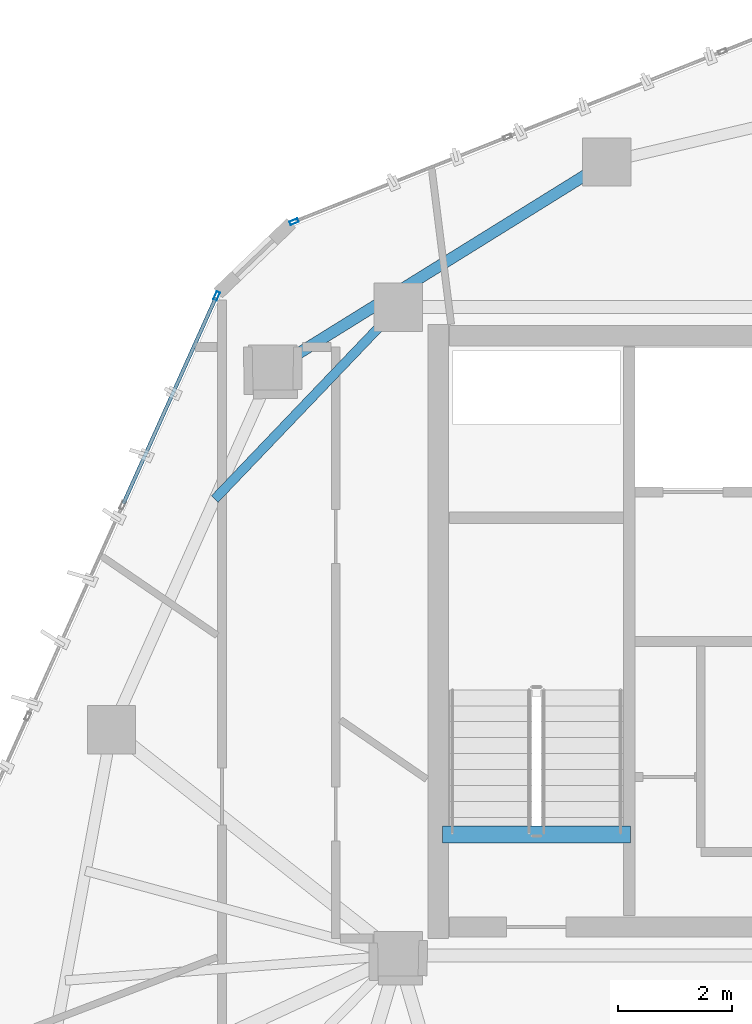
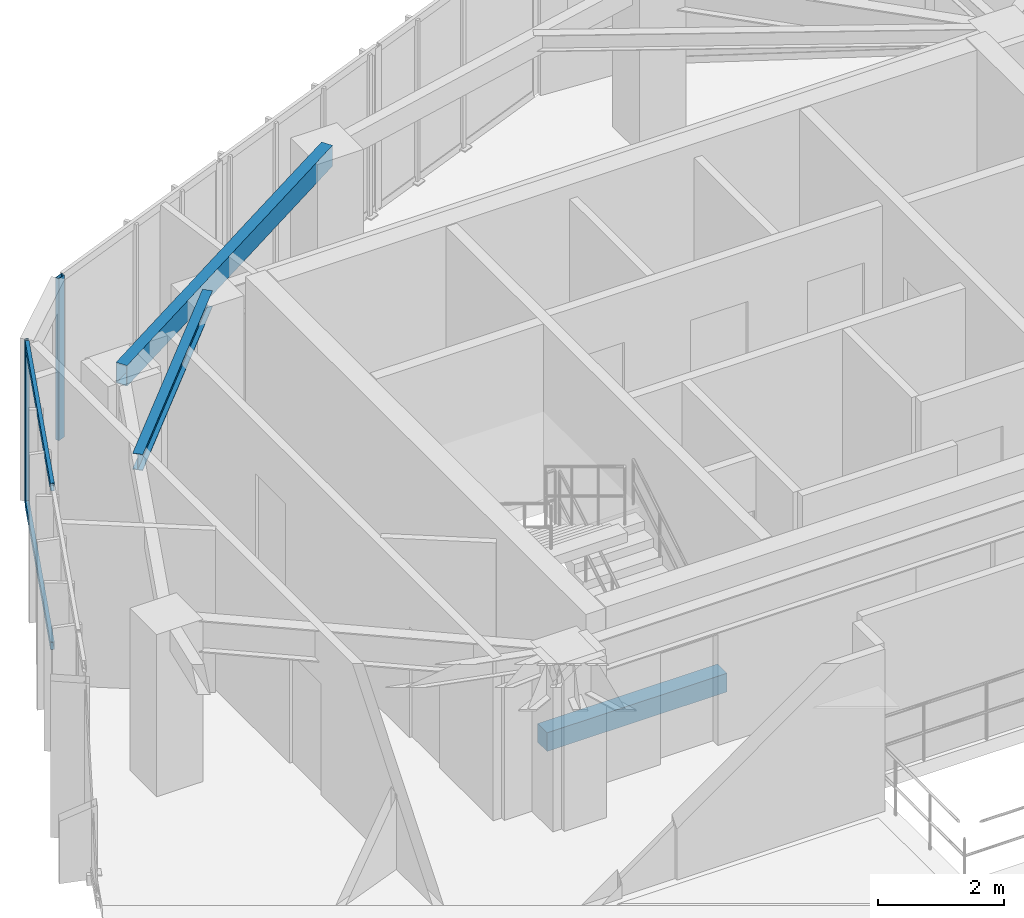
# One storey, part 9 of 20: 4 members, 3 beams, 2 elements without a shape of their own.
"""IFC4 building model written with IfcOpenShell, lengths in metres."""

import ifcopenshell
import ifcopenshell.guid

model = None  # the IFC model being written
_history = None  # IfcOwnerHistory: only IFC2X3 demands one
_inside = {}  # id of a spatial element -> (the spatial element, [elements in it])
_under = {}  # id of a project, library or spatial element -> (it, [spatial elements below it])
_declared = {}  # id of a project -> (the project, [libraries it declares])
_typed = {}  # id of a type object -> (the type object, [elements of that type])
_made_of = {}  # id of a material, layer set ... -> (it, [elements and type objects made of it])


def new_model(schema):
    """Start an empty IFC model of exactly this schema.

    Asked for "IFC4X3", IfcOpenShell would pick the latest addendum, in which some entities
    have other attributes; the version numbers below select the first issue.
    IFC2X3 requires an IfcOwnerHistory on every rooted entity: one is made here for all.
    """
    global model, _history
    if schema == "IFC4X3":
        model = ifcopenshell.file(schema_version=(4, 3, 0, 0))
    else:
        model = ifcopenshell.file(schema=schema)
    _inside.clear()
    _under.clear()
    _declared.clear()
    _typed.clear()
    _made_of.clear()
    _history = None
    if model.schema == "IFC2X3":
        org = make("IfcOrganization", Name="unknown")
        user = make(
            "IfcPersonAndOrganization",
            ThePerson=make("IfcPerson", FamilyName="unknown"),
            TheOrganization=org,
        )
        app = make(
            "IfcApplication",
            ApplicationDeveloper=org,
            Version="unknown",
            ApplicationFullName="unknown",
            ApplicationIdentifier="unknown",
        )
        _history = make(
            "IfcOwnerHistory",
            OwningUser=user,
            OwningApplication=app,
            ChangeAction="ADDED",
            CreationDate=0,
        )
    return model


def make(cls, **values):
    """One entity of the class cls with the attributes given. An attribute that is None is left unset."""
    return model.create_entity(
        cls, **{name: value for name, value in values.items() if value is not None}
    )


def rooted(cls, **values):
    """An entity with a GlobalId (a new one), such as an element, a storey or a relation."""
    return make(cls, GlobalId=ifcopenshell.guid.new(), OwnerHistory=_history, **values)


def si_unit(unit_type, name, prefix=None):
    """IfcSIUnit, for example si_unit("LENGTHUNIT", "METRE", prefix="MILLI")."""
    return make("IfcSIUnit", UnitType=unit_type, Prefix=prefix, Name=name)


def assignment(units):
    """IfcUnitAssignment: the units of a project."""
    return None if units is None else make("IfcUnitAssignment", Units=units)


def point(xyz):
    """IfcCartesianPoint."""
    return None if xyz is None else make("IfcCartesianPoint", Coordinates=xyz)


def direction(xyz):
    """IfcDirection."""
    return None if xyz is None else make("IfcDirection", DirectionRatios=xyz)


def frame(location, z_axis=None, x_axis=None):
    """IfcAxis2Placement3D, a coordinate frame: its origin and axes. An axis left out is left unset."""
    return make(
        "IfcAxis2Placement3D",
        Location=point(location),
        Axis=direction(z_axis),
        RefDirection=direction(x_axis),
    )


def frame_2d(location, x_axis=None):
    """IfcAxis2Placement2D, a coordinate frame in the plane: its origin and x axis."""
    return make(
        "IfcAxis2Placement2D", Location=point(location), RefDirection=direction(x_axis)
    )


def origin():
    """The frame at (0, 0, 0) with its axes left unset."""
    return frame((0.0, 0.0, 0.0))


def origin_2d():
    """The frame at (0, 0) in the plane with its x axis left unset."""
    return frame_2d((0.0, 0.0))


def place(relative_to, where):
    """IfcLocalPlacement: puts the frame where relative to a parent placement (None: the world)."""
    return make(
        "IfcLocalPlacement", PlacementRelTo=relative_to, RelativePlacement=where
    )


def context(
    kind, dimensions, precision=None, world=None, true_north=None, identifier=None
):
    """IfcGeometricRepresentationContext, for example the 3D "Model" context."""
    return make(
        "IfcGeometricRepresentationContext",
        ContextIdentifier=identifier,
        ContextType=kind,
        CoordinateSpaceDimension=dimensions,
        Precision=precision,
        WorldCoordinateSystem=world,
        TrueNorth=true_north,
    )


def subcontext(parent, identifier, kind, view, scale=None):
    """IfcGeometricRepresentationSubContext, for example "Body" below "Model"."""
    return make(
        "IfcGeometricRepresentationSubContext",
        ContextIdentifier=identifier,
        ContextType=kind,
        ParentContext=parent,
        TargetScale=scale,
        TargetView=view,
    )


def project(units=None, contexts=None):
    """IfcProject with its units and contexts."""
    return rooted(
        "IfcProject",
        Name="project",
        RepresentationContexts=contexts,
        UnitsInContext=assignment(units),
    )


def spatial(cls, under=None, at=None, **own):
    """A site, building, storey or space (cls), placed at a placement, below another one or the project."""
    s = rooted(cls, ObjectPlacement=at, **own)
    if under is not None:
        _under.setdefault(under.id(), (under, []))[1].append(s)
    return s


def profile(cls, at=None, kind="AREA", **sizes):
    """A parametric profile (cls). Its sizes go by their IFC names, for example OverallWidth=200.0."""
    return make(cls, ProfileType=kind, Position=at, **sizes)


def rectangle(**sizes):
    """IfcRectangleProfileDef."""
    return profile("IfcRectangleProfileDef", **sizes)


def hollow_rectangle(**sizes):
    """IfcRectangleHollowProfileDef."""
    return profile("IfcRectangleHollowProfileDef", **sizes)


def i_section(**sizes):
    """IfcIShapeProfileDef."""
    return profile("IfcIShapeProfileDef", **sizes)


def extrude(swept, where, along, depth):
    """IfcExtrudedAreaSolid: the profile swept, set in the frame where, extruded along a direction by depth."""
    return make(
        "IfcExtrudedAreaSolid",
        SweptArea=swept,
        Position=where,
        ExtrudedDirection=direction(along),
        Depth=depth,
    )


def shape(context_of_items, identifier, shape_type, items):
    """IfcShapeRepresentation: the items that make up one representation, for example the "Body"."""
    return make(
        "IfcShapeRepresentation",
        ContextOfItems=context_of_items,
        RepresentationIdentifier=identifier,
        RepresentationType=shape_type,
        Items=items,
    )


def source(mapping_origin, context_of_items, identifier, shape_type, items):
    """IfcRepresentationMap: a shape defined once, which mapped items show again and again."""
    return make(
        "IfcRepresentationMap",
        MappingOrigin=mapping_origin,
        MappedRepresentation=shape(context_of_items, identifier, shape_type, items),
    )


def transform(
    local_origin,
    x_axis=None,
    y_axis=None,
    z_axis=None,
    scale=None,
    scale2=None,
    scale3=None,
    uniform=True,
):
    """IfcCartesianTransformationOperator3D, or its non-uniform kind. x_axis, y_axis, z_axis: its Axis1, 2, 3."""
    if uniform:
        return make(
            "IfcCartesianTransformationOperator3D",
            Axis1=direction(x_axis),
            Axis2=direction(y_axis),
            LocalOrigin=point(local_origin),
            Scale=scale,
            Axis3=direction(z_axis),
        )
    return make(
        "IfcCartesianTransformationOperator3DnonUniform",
        Axis1=direction(x_axis),
        Axis2=direction(y_axis),
        LocalOrigin=point(local_origin),
        Scale=scale,
        Axis3=direction(z_axis),
        Scale2=scale2,
        Scale3=scale3,
    )


def mapped(mapping_source, mapping_target):
    """IfcMappedItem: shows the shape of a source again, moved by a transform."""
    return make(
        "IfcMappedItem", MappingSource=mapping_source, MappingTarget=mapping_target
    )


def material(Name=None, Category=None):
    """IfcMaterial."""
    return make("IfcMaterial", Name=Name, Category=Category)


def layer(
    of_material, thickness, ventilated=None, Name=None, Category=None, Priority=None
):
    """IfcMaterialLayer: one layer of a wall or slab, of a material (None: an air gap)."""
    return make(
        "IfcMaterialLayer",
        Material=of_material,
        LayerThickness=thickness,
        IsVentilated=ventilated,
        Name=Name,
        Category=Category,
        Priority=Priority,
    )


def layer_set(layers, Name=None):
    """IfcMaterialLayerSet."""
    return make("IfcMaterialLayerSet", MaterialLayers=layers, LayerSetName=Name)


def material_profile(
    of_material, cross_section, Name=None, Category=None, Priority=None
):
    """IfcMaterialProfile: a cross section and its material."""
    return make(
        "IfcMaterialProfile",
        Name=Name,
        Material=of_material,
        Profile=cross_section,
        Priority=Priority,
        Category=Category,
    )


def profile_set(profiles, Name=None, composite=None):
    """IfcMaterialProfileSet."""
    return make(
        "IfcMaterialProfileSet",
        Name=Name,
        MaterialProfiles=profiles,
        CompositeProfile=composite,
    )


def made_of(thing, what):
    """Note that an element or type object is made of a material, layer set ...; save() writes the relation."""
    if what is not None:
        _made_of.setdefault(what.id(), (what, []))[1].append(thing)
    return thing


def type_object(cls, material=None, **own):
    """A type object (cls), such as IfcWallType, which elements share."""
    return made_of(rooted(cls, **own), material)


def type_shapes(of_type, sources):
    """Give a type object the sources (RepresentationMaps) that its elements show as mapped items."""
    of_type.RepresentationMaps = sources


def element(
    cls,
    number,
    at=None,
    inside=None,
    cuts=None,
    type_object=None,
    material=None,
    context=None,
    identifier="Body",
    shape_type=None,
    held_by="IfcProductDefinitionShape",
    body=None,
    shapes=None,
    **own,
):
    """One element of the class cls, such as IfcWall. Its Tag is "e" and its number.

    at: its placement. inside: the storey or other place that contains it. cuts: it is an
    opening in that element (IfcRelVoidsElement). A single representation is given by context,
    identifier, shape_type and body (its items); several are given by shapes. held_by: the class
    of the entity that holds the representations. save() writes the other relations.
    """
    e = rooted(cls, Tag="e%d" % number, ObjectPlacement=at, **own)
    if body is not None:
        shapes = [shape(context, identifier, shape_type, body)]
    if shapes is not None:
        e.Representation = make(held_by, Representations=shapes)
    if inside is not None:
        _inside.setdefault(inside.id(), (inside, []))[1].append(e)
    if cuts is not None:
        rooted(
            "IfcRelVoidsElement", RelatingBuildingElement=cuts, RelatedOpeningElement=e
        )
    if type_object is not None:
        _typed.setdefault(type_object.id(), (type_object, []))[1].append(e)
    return made_of(e, material)


def aggregate(whole, parts):
    """IfcRelAggregates: a whole, such as a stair, and the parts it consists of."""
    return rooted("IfcRelAggregates", RelatingObject=whole, RelatedObjects=parts)


def save(model, path):
    """Write the relations noted so far, then the file.

    IfcRelAggregates (storeys below a building ...), IfcRelContainedInSpatialStructure (elements
    in a storey), IfcRelDefinesByType, IfcRelAssociatesMaterial and IfcRelDeclares: one each for
    every whole, place, type object, material and project.
    """
    for whole, parts in _under.values():
        aggregate(whole, parts)
    for where, things in _inside.values():
        rooted(
            "IfcRelContainedInSpatialStructure",
            RelatedElements=things,
            RelatingStructure=where,
        )
    for kind, things in _typed.values():
        rooted("IfcRelDefinesByType", RelatedObjects=things, RelatingType=kind)
    for what, things in _made_of.values():
        rooted("IfcRelAssociatesMaterial", RelatedObjects=things, RelatingMaterial=what)
    for by, libraries in _declared.values():
        rooted("IfcRelDeclares", RelatingContext=by, RelatedDefinitions=libraries)
    model.write(path)


model = new_model("IFC4")

# Units and contexts
model_context = context("Model", 3, precision=1e-05, world=origin(), true_north=direction((0.0, 1.0)))
body_context = subcontext(model_context, "Body", "Model", "MODEL_VIEW")
ifc_project = project(units=[si_unit("LENGTHUNIT", "METRE"), si_unit("AREAUNIT", "SQUARE_METRE"), si_unit("VOLUMEUNIT", "CUBIC_METRE"), si_unit("PLANEANGLEUNIT", "RADIAN"), si_unit("MASSUNIT", "GRAM", prefix="KILO")], contexts=[model_context])

# Site, building, storey
site_placement = place(None, origin())
site = spatial("IfcSite", under=ifc_project, at=site_placement, CompositionType="ELEMENT")
building_placement = place(site_placement, origin())
building = spatial("IfcBuilding", under=site, at=building_placement, Name="Talar Marvaseh", CompositionType="ELEMENT")
storey_placement = place(building_placement, frame((0.0, 0.0, 278.199951171875)))
storey = spatial("IfcBuildingStorey", under=building, at=storey_placement, Name="L74", CompositionType="ELEMENT", Elevation=278.199951171875)

# Beams
ifc_material_1 = material(Name="Concrete C40/50", Category="concrete")
ifc_material_profile_1 = material_profile(ifc_material_1, rectangle(XDim=0.300048828125, YDim=0.360107421875, at=origin_2d()), Name="RC300x360")
ifc_profile_set_1 = profile_set([ifc_material_profile_1], Name="Concrete C40/50")
beam_type_1 = type_object("IfcBeamType", Name="Concrete Stair Landing Trimmer Beam RC300x360", PredefinedType="SPANDREL", material=ifc_profile_set_1)
beam_1_placement = place(storey_placement, frame((22.780029296875, 27.6298828125, -0.179931640625), z_axis=(-1.0, 0.0, 0.0), x_axis=(0.0, -1.0, 0.0)))
element("IfcBeam", 1, at=beam_1_placement, inside=storey, type_object=beam_type_1, Name="L74 ST-1 Stair Nosing Trimmer Beam", PredefinedType="SPANDREL", context=body_context, shape_type="SweptSolid", body=[
    extrude(rectangle(XDim=0.300048828125, YDim=0.360107421875, at=origin_2d()), origin(), (0.0, 0.0, 1.0), 3.300048828125),
])
ifc_material_2 = material(Name="Steel S355", Category="steel")
ifc_material_profile_2 = material_profile(ifc_material_2, hollow_rectangle(XDim=0.199951171875, YDim=0.39990234375, WallThickness=0.013916015625, at=origin_2d()), Name="RHS400x200x14")
ifc_profile_set_2 = profile_set([ifc_material_profile_2], Name="Steel S355")
beam_type_2 = type_object("IfcBeamType", Name="Zone 3 Perimeter Spandrel Beam RHS400x200x14", PredefinedType="SPANDREL", material=ifc_profile_set_2)
beam_2_placement = place(storey_placement, frame((16.493896484375, 35.806884765625, 2.93994140625), z_axis=(0.849439811678, 0.527685518407, 0.0), x_axis=(-0.527685518407, 0.849439811678, 0.0)))
element("IfcBeam", 2, at=beam_2_placement, inside=storey, type_object=beam_type_2, Name="L74 Zone 3 Perimeter Spandrel Beam RHS400x200x14", PredefinedType="SPANDREL", context=body_context, shape_type="SweptSolid", body=[
    extrude(hollow_rectangle(XDim=0.199951171875, YDim=0.39990234375, WallThickness=0.013916015625, at=origin_2d()), origin(), (0.0, 0.0, 1.0), 6.91162109375),
])
ifc_material_profile_3 = material_profile(ifc_material_2, i_section(OverallWidth=0.166015625, OverallDepth=0.31298828125, WebThickness=0.006591796875, FlangeThickness=0.01123046875, at=origin_2d()), Name="W310x45")
ifc_profile_set_3 = profile_set([ifc_material_profile_3], Name="Steel S355")
beam_type_3 = type_object("IfcBeamType", Name="Zone 3 Secondary Floor Joist W310x45", PredefinedType="JOIST", material=ifc_profile_set_3)
beam_3_placement = place(storey_placement, frame((15.472900390625, 33.525634765625, 2.983642578125), z_axis=(0.691165656787, 0.722696364235, 0.0), x_axis=(-0.722696364235, 0.691165656787, 0.0)))
element("IfcBeam", 3, at=beam_3_placement, inside=storey, type_object=beam_type_3, Name="L74 Zone 3 Secondary Floor Joist W310x45", PredefinedType="JOIST", context=body_context, shape_type="SweptSolid", body=[
    extrude(i_section(OverallWidth=0.166015625, OverallDepth=0.31298828125, WebThickness=0.006591796875, FlangeThickness=0.01123046875, at=origin_2d()), origin(), (0.0, 0.0, 1.0), 4.6689453125),
])

# Curtain wall, members
ifc_material_3 = material(Name="Architectural Aluminium", Category="aluminium")
ifc_layer = layer(ifc_material_3, 0.179931640625)
ifc_layer_set = layer_set([ifc_layer], Name="Architectural Aluminium")
curtain_wall_type = type_object("IfcCurtainWallType", Name="Unitised High-Wind Sky Curtain Wall Z4", PredefinedType="NOTDEFINED", material=ifc_layer_set)
curtain_wall_1_placement = place(storey_placement, origin())
curtain_wall_1 = element("IfcCurtainWall", 4, at=curtain_wall_1_placement, inside=storey, type_object=curtain_wall_type, Name="L74 Unitised High-Wind Sky Curtain Wall Z4", PredefinedType="NOTDEFINED")
ifc_material_profile_4 = material_profile(ifc_material_3, hollow_rectangle(XDim=0.06494140625, YDim=0.14990234375, WallThickness=0.00390625, at=origin_2d()), Name="RHS150x65x4")
ifc_profile_set_4 = profile_set([ifc_material_profile_4], Name="Architectural Aluminium")
member_type_1 = type_object("IfcMemberType", Name="Unitised Curtain Wall Slim Transom RHS150x65x4", PredefinedType="USERDEFINED", material=ifc_profile_set_4)
shared_shape_1 = source(origin(), body_context, "Body", "SweptSolid", [
    extrude(hollow_rectangle(XDim=0.06494140625, YDim=0.14990234375, WallThickness=0.00390625, at=origin_2d()), origin(), (0.0, 0.0, 1.0), 3.97119140625),
])
type_shapes(member_type_1, [shared_shape_1])
member_1_placement = place(storey_placement, frame((13.8662109375, 33.446044921875, 0.032470703125), z_axis=(0.409620682919, 0.91225593784, 0.0), x_axis=(-0.91225593784, 0.409620682919, 0.0)))
member_1 = element("IfcMember", 5, at=member_1_placement, type_object=member_type_1, Name="CW-Z4 transom 3.1", ObjectType="TRANSOM", PredefinedType="USERDEFINED", context=body_context, shape_type="MappedRepresentation", body=[
    mapped(shared_shape_1, transform((0.0, 0.0, 0.0), x_axis=(1.0, 0.0, 0.0), y_axis=(0.0, 1.0, 0.0), z_axis=(0.0, 0.0, 1.0), scale=1.0)),
])
member_2_placement = place(storey_placement, frame((13.8662109375, 33.446044921875, 3.107666015625), z_axis=(0.409620682919, 0.91225593784, 0.0), x_axis=(-0.91225593784, 0.409620682919, 0.0)))
member_2 = element("IfcMember", 6, at=member_2_placement, type_object=member_type_1, Name="CW-Z4 transom 3.2", ObjectType="TRANSOM", PredefinedType="USERDEFINED", context=body_context, shape_type="MappedRepresentation", body=[
    mapped(shared_shape_1, transform((0.0, 0.0, 0.0), x_axis=(1.0, 0.0, 0.0), y_axis=(0.0, 1.0, 0.0), z_axis=(0.0, 0.0, 1.0), scale=1.0)),
])
ifc_material_profile_5 = material_profile(ifc_material_3, hollow_rectangle(XDim=0.06494140625, YDim=0.14990234375, WallThickness=0.00390625, at=origin_2d()), Name="RHS150x65x4")
ifc_profile_set_5 = profile_set([ifc_material_profile_5], Name="Architectural Aluminium")
member_type_2 = type_object("IfcMemberType", Name="Unitised Curtain Wall Slim Mullion RHS150x65x4", PredefinedType="MULLION", material=ifc_profile_set_5)
shared_shape_2 = source(origin(), body_context, "Body", "SweptSolid", [
    extrude(hollow_rectangle(XDim=0.06494140625, YDim=0.14990234375, WallThickness=0.00390625, at=origin_2d()), origin(), (0.0, 0.0, 1.0), 3.14013671875),
])
type_shapes(member_type_2, [shared_shape_2])
member_3_placement = place(storey_placement, frame((15.506103515625, 37.098388671875, 0.0), z_axis=(0.0, 0.0, 1.0), x_axis=(-0.91224941563, 0.409635208061, 0.0)))
member_3 = element("IfcMember", 7, at=member_3_placement, type_object=member_type_2, Name="CW-Z4 mullion 4", PredefinedType="MULLION", context=body_context, shape_type="MappedRepresentation", body=[
    mapped(shared_shape_2, transform((0.0, 0.0, 0.0), x_axis=(1.0, 0.0, 0.0), y_axis=(0.0, 1.0, 0.0), z_axis=(0.0, 0.0, 1.0), scale=1.0)),
])
aggregate(curtain_wall_1, [member_3, member_1, member_2])

# Curtain wall, member
curtain_wall_2_placement = place(storey_placement, origin())
curtain_wall_2 = element("IfcCurtainWall", 8, at=curtain_wall_2_placement, inside=storey, type_object=curtain_wall_type, Name="L74 Unitised High-Wind Sky Curtain Wall Z4", PredefinedType="NOTDEFINED")
member_4_placement = place(storey_placement, frame((16.868408203125, 38.402587890625, 0.0), z_axis=(0.0, 0.0, 1.0), x_axis=(-0.369450452893, 0.929250430647, 0.0)))
member_4 = element("IfcMember", 9, at=member_4_placement, type_object=member_type_2, Name="CW-Z4 mullion 1", PredefinedType="MULLION", context=body_context, shape_type="MappedRepresentation", body=[
    mapped(shared_shape_2, transform((0.0, 0.0, 0.0), x_axis=(1.0, 0.0, 0.0), y_axis=(0.0, 1.0, 0.0), z_axis=(0.0, 0.0, 1.0), scale=1.0)),
])
aggregate(curtain_wall_2, [member_4])

save(model, "model.ifc")
